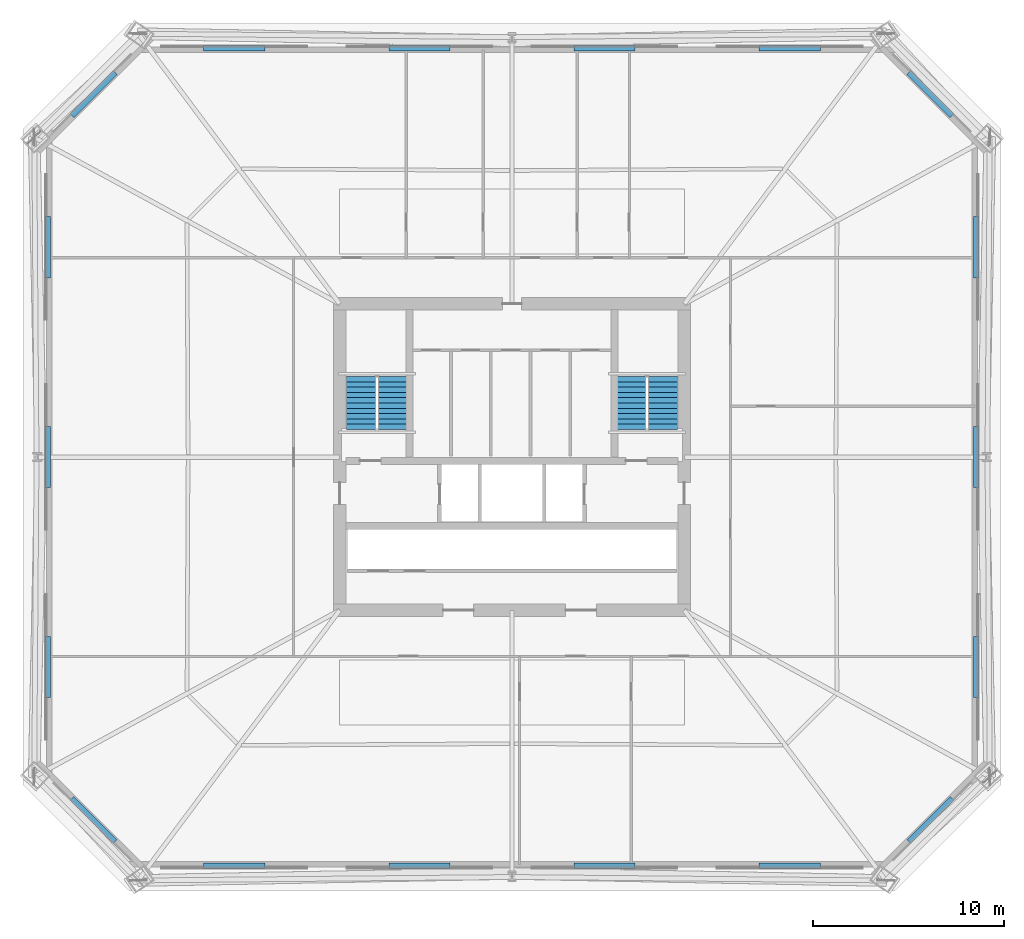
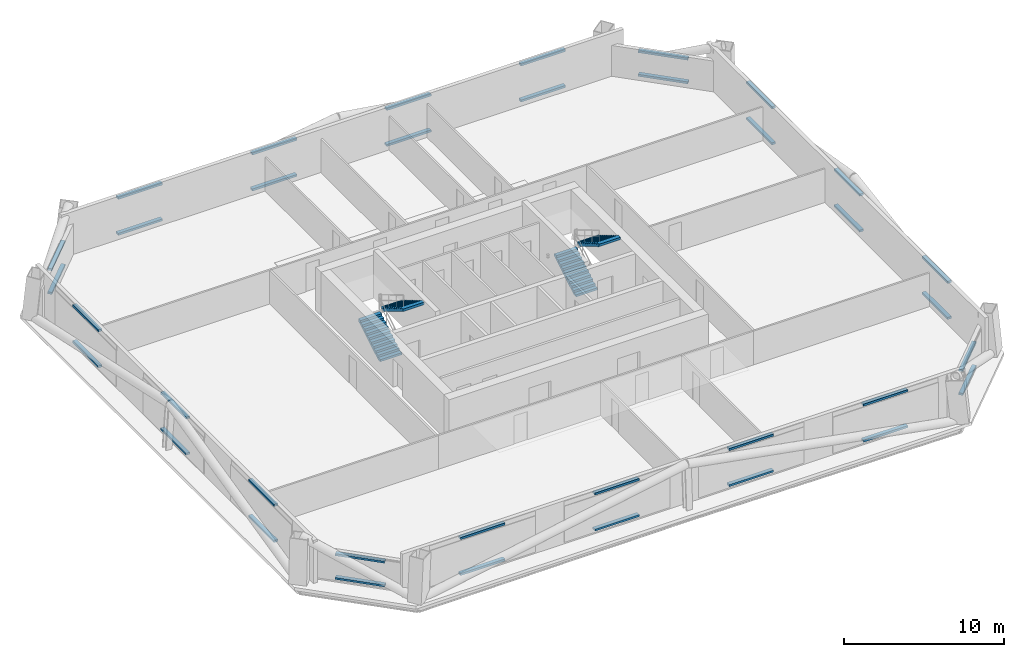
# One storey, part 6 of 9: 36 discrete accessories, 4 stair flights, 2 elements without a shape of their own.
"""IFC4 building model written with IfcOpenShell, lengths in metres."""

from ifc_helpers import new_model, si_unit, direction, frame, origin, origin_2d, place, context, subcontext, project, spatial, polyline, rectangle, outline, extrude, material, type_object, element, aggregate, save


model = new_model("IFC4")

# Units and contexts
model_context = context("Model", 3, precision=1e-05, world=origin(), true_north=direction((0.0, 1.0)))
body_context = subcontext(model_context, "Body", "Model", "MODEL_VIEW")
ifc_project = project(units=[si_unit("LENGTHUNIT", "METRE"), si_unit("AREAUNIT", "SQUARE_METRE"), si_unit("VOLUMEUNIT", "CUBIC_METRE"), si_unit("PLANEANGLEUNIT", "RADIAN"), si_unit("MASSUNIT", "GRAM", prefix="KILO")], contexts=[model_context])

# Site, building, storey
site_placement = place(None, origin())
site = spatial("IfcSite", under=ifc_project, at=site_placement, CompositionType="ELEMENT")
building_placement = place(site_placement, origin())
building = spatial("IfcBuilding", under=site, at=building_placement, Name="Caelvoria Tower", CompositionType="ELEMENT")
storey_placement = place(building_placement, frame((0.0, 0.0, 82.0)))
storey = spatial("IfcBuildingStorey", under=building, at=storey_placement, Name="L21", CompositionType="ELEMENT", Elevation=82.0)

# Stair, stair flights
ifc_material_1 = material(Name="Concrete C40/50", Category="concrete")
stair_type = type_object("IfcStairType", Name="Core Smokeproof Dogleg Stair Concrete C40/50", PredefinedType="HALF_TURN_STAIR", material=ifc_material_1)
stair_1_placement = place(storey_placement, origin())
stair_1 = element("IfcStair", 1, at=stair_1_placement, inside=storey, type_object=stair_type, Name="ST-01 Smokeproof Exit Stair L21", PredefinedType="HALF_TURN_STAIR")
ifc_material_2 = material(Name="Precast Concrete C40/50", Category="concrete")
stair_flight_type = type_object("IfcStairFlightType", Name="Precast Concrete C40/50 Stair Flight 1480", PredefinedType="STRAIGHT", material=ifc_material_2)
stair_flight_1_placement = place(storey_placement, frame((38.1298828125, 33.449951171875, 0.0), z_axis=(0.0, 0.0, 1.0), x_axis=(0.0, 1.0, 0.0)))
stair_flight_1 = element("IfcStairFlight", 2, at=stair_flight_1_placement, type_object=stair_flight_type, Name="ST-01 flight 1", NumberOfRisers=11, NumberOfTreads=10, PredefinedType="STRAIGHT", RiserHeight=0.1636, TreadLength=0.275, context=body_context, shape_type="SweptSolid", body=[
    extrude(outline(polyline([(0.0, 0.0), (0.0, 0.16357421875), (0.27490234375, 0.16357421875), (0.27490234375, 0.3271484375), (0.550048828125, 0.3271484375), (0.550048828125, 0.49072265625), (0.824951171875, 0.49072265625), (0.824951171875, 0.654296875), (1.10009765625, 0.654296875), (1.10009765625, 0.818115234375), (1.375, 0.818115234375), (1.375, 0.981689453125), (1.64990234375, 0.981689453125), (1.64990234375, 1.145263671875), (1.925048828125, 1.145263671875), (1.925048828125, 1.308837890625), (2.199951171875, 1.308837890625), (2.199951171875, 1.472412109375), (2.47509765625, 1.472412109375), (2.47509765625, 1.635986328125), (2.75, 1.635986328125), (2.75, 1.799560546875), (2.75, 1.449951171875), (0.312744140625, 0.0), (0.0, 0.0)])), frame((0.0, 0.77001953125, 0.0), z_axis=(0.0, -1.0, 0.0), x_axis=(1.0, 0.0, 0.0)), (0.0, 0.0, 1.0), 1.5400390625),
])
stair_flight_2_placement = place(storey_placement, frame((39.77001953125, 36.199951171875, 1.800048828125), z_axis=(0.0, 0.0, 1.0), x_axis=(0.0, -1.0, 0.0)))
stair_flight_2 = element("IfcStairFlight", 3, at=stair_flight_2_placement, type_object=stair_flight_type, Name="ST-01 flight 2", NumberOfRisers=11, NumberOfTreads=10, PredefinedType="STRAIGHT", RiserHeight=0.1636, TreadLength=0.275, context=body_context, shape_type="SweptSolid", body=[
    extrude(outline(polyline([(0.0, 0.0), (0.0, 0.16357421875), (0.27490234375, 0.16357421875), (0.27490234375, 0.3271484375), (0.550048828125, 0.3271484375), (0.550048828125, 0.49072265625), (0.824951171875, 0.49072265625), (0.824951171875, 0.654296875), (1.10009765625, 0.654296875), (1.10009765625, 0.818115234375), (1.375, 0.818115234375), (1.375, 0.981689453125), (1.64990234375, 0.981689453125), (1.64990234375, 1.145263671875), (1.925048828125, 1.145263671875), (1.925048828125, 1.308837890625), (2.199951171875, 1.308837890625), (2.199951171875, 1.472412109375), (2.47509765625, 1.472412109375), (2.47509765625, 1.635986328125), (2.75, 1.635986328125), (2.75, 1.799560546875), (2.75, 1.449951171875), (0.312744140625, 0.0), (0.0, 0.0)])), frame((0.0, 0.77001953125, 0.0), z_axis=(0.0, -1.0, 0.0), x_axis=(1.0, 0.0, 0.0)), (0.0, 0.0, 1.0), 1.5400390625),
])
aggregate(stair_1, [stair_flight_1, stair_flight_2])

stair_2_placement = place(storey_placement, origin())
stair_2 = element("IfcStair", 4, at=stair_2_placement, inside=storey, type_object=stair_type, Name="ST-02 Smokeproof Exit Stair L21", PredefinedType="HALF_TURN_STAIR")
stair_flight_3_placement = place(storey_placement, frame((52.22998046875, 33.449951171875, 0.0), z_axis=(0.0, 0.0, 1.0), x_axis=(0.0, 1.0, 0.0)))
stair_flight_3 = element("IfcStairFlight", 5, at=stair_flight_3_placement, type_object=stair_flight_type, Name="ST-02 flight 1", NumberOfRisers=11, NumberOfTreads=10, PredefinedType="STRAIGHT", RiserHeight=0.1636, TreadLength=0.275, context=body_context, shape_type="SweptSolid", body=[
    extrude(outline(polyline([(0.0, 0.0), (0.0, 0.16357421875), (0.27490234375, 0.16357421875), (0.27490234375, 0.3271484375), (0.550048828125, 0.3271484375), (0.550048828125, 0.49072265625), (0.824951171875, 0.49072265625), (0.824951171875, 0.654296875), (1.10009765625, 0.654296875), (1.10009765625, 0.818115234375), (1.375, 0.818115234375), (1.375, 0.981689453125), (1.64990234375, 0.981689453125), (1.64990234375, 1.145263671875), (1.925048828125, 1.145263671875), (1.925048828125, 1.308837890625), (2.199951171875, 1.308837890625), (2.199951171875, 1.472412109375), (2.47509765625, 1.472412109375), (2.47509765625, 1.635986328125), (2.75, 1.635986328125), (2.75, 1.799560546875), (2.75, 1.449951171875), (0.312744140625, 0.0), (0.0, 0.0)])), frame((0.0, 0.77001953125, 0.0), z_axis=(0.0, -1.0, 0.0), x_axis=(1.0, 0.0, 0.0)), (0.0, 0.0, 1.0), 1.5400390625),
])
stair_flight_4_placement = place(storey_placement, frame((53.8701171875, 36.199951171875, 1.800048828125), z_axis=(0.0, 0.0, 1.0), x_axis=(0.0, -1.0, 0.0)))
stair_flight_4 = element("IfcStairFlight", 6, at=stair_flight_4_placement, type_object=stair_flight_type, Name="ST-02 flight 2", NumberOfRisers=11, NumberOfTreads=10, PredefinedType="STRAIGHT", RiserHeight=0.1636, TreadLength=0.275, context=body_context, shape_type="SweptSolid", body=[
    extrude(outline(polyline([(0.0, 0.0), (0.0, 0.16357421875), (0.27490234375, 0.16357421875), (0.27490234375, 0.3271484375), (0.550048828125, 0.3271484375), (0.550048828125, 0.49072265625), (0.824951171875, 0.49072265625), (0.824951171875, 0.654296875), (1.10009765625, 0.654296875), (1.10009765625, 0.818115234375), (1.375, 0.818115234375), (1.375, 0.981689453125), (1.64990234375, 0.981689453125), (1.64990234375, 1.145263671875), (1.925048828125, 1.145263671875), (1.925048828125, 1.308837890625), (2.199951171875, 1.308837890625), (2.199951171875, 1.472412109375), (2.47509765625, 1.472412109375), (2.47509765625, 1.635986328125), (2.75, 1.635986328125), (2.75, 1.799560546875), (2.75, 1.449951171875), (0.312744140625, 0.0), (0.0, 0.0)])), frame((0.0, 0.77001953125, 0.0), z_axis=(0.0, -1.0, 0.0), x_axis=(1.0, 0.0, 0.0)), (0.0, 0.0, 1.0), 1.5400390625),
])
aggregate(stair_2, [stair_flight_3, stair_flight_4])

# Discrete accessories
ifc_material_3 = material(Name="Anodised Bronze Stainless Bracket", Category="bronze")
discrete_accessory_type = type_object("IfcDiscreteAccessoryType", Name="Solar Screen Outrigger Support Bracket", PredefinedType="BRACKET", material=ifc_material_3)
for number, where, z_axis, x_axis, name in (
    (7, (31.4951171875, 10.653076171875, 0.240234375), (0.0, 0.0, 1.0), (1.0, 0.0, 0.0), "Solar Screen Bracket L21-E0-00"),
    (8, (31.4951171875, 10.653076171875, 2.97998046875), (0.0, 0.0, 1.0), (1.0, 0.0, 0.0), "Upper Screen Band Bracket L21-E0-00"),
    (9, (41.1650390625, 10.653076171875, 0.240234375), (0.0, 0.0, 1.0), (1.0, 0.0, 0.0), "Solar Screen Bracket L21-E0-01"),
    (10, (41.1650390625, 10.653076171875, 2.97998046875), (0.0, 0.0, 1.0), (1.0, 0.0, 0.0), "Upper Screen Band Bracket L21-E0-01"),
    (11, (50.8349609375, 10.653076171875, 0.240234375), (0.0, 0.0, 1.0), (1.0, 0.0, 0.0), "Solar Screen Bracket L21-E0-02"),
    (12, (50.8349609375, 10.653076171875, 2.97998046875), (0.0, 0.0, 1.0), (1.0, 0.0, 0.0), "Upper Screen Band Bracket L21-E0-02"),
    (13, (60.5048828125, 10.653076171875, 0.240234375), (0.0, 0.0, 1.0), (1.0, 0.0, 0.0), "Solar Screen Bracket L21-E0-03"),
    (14, (60.5048828125, 10.653076171875, 2.97998046875), (0.0, 0.0, 1.0), (1.0, 0.0, 0.0), "Upper Screen Band Bracket L21-E0-03"),
    (15, (67.853515625, 13.04638671875, 0.240234375), (0.0, 0.0, 1.0), (0.707106781187, 0.707106781187, 0.0), "Solar Screen Bracket L21-E1-00"),
    (16, (67.853515625, 13.04638671875, 2.04296875), (0.0, 0.0, 1.0), (0.707106781187, 0.707106781187, 0.0), "Upper Screen Band Bracket L21-E1-00"),
    (17, (70.2470703125, 21.0400390625, 0.240234375), (0.0, 0.0, 1.0), (0.0, 1.0, 0.0), "Solar Screen Bracket L21-E2-00"),
    (18, (70.2470703125, 21.0400390625, 2.97998046875), (0.0, 0.0, 1.0), (0.0, 1.0, 0.0), "Upper Screen Band Bracket L21-E2-00"),
    (19, (70.2470703125, 32.0, 0.240234375), (0.0, 0.0, 1.0), (0.0, 1.0, 0.0), "Solar Screen Bracket L21-E2-01"),
    (20, (70.2470703125, 32.0, 2.97998046875), (0.0, 0.0, 1.0), (0.0, 1.0, 0.0), "Upper Screen Band Bracket L21-E2-01"),
    (21, (70.2470703125, 42.9599609375, 0.240234375), (0.0, 0.0, 1.0), (0.0, 1.0, 0.0), "Solar Screen Bracket L21-E2-02"),
    (22, (70.2470703125, 42.9599609375, 2.97998046875), (0.0, 0.0, 1.0), (0.0, 1.0, 0.0), "Upper Screen Band Bracket L21-E2-02"),
    (23, (67.853515625, 50.95361328125, 0.240234375), (0.0, 0.0, 1.0), (-0.707106781187, 0.707106781187, 0.0), "Solar Screen Bracket L21-E3-00"),
    (24, (67.853515625, 50.95361328125, 2.04296875), (0.0, 0.0, 1.0), (-0.707106781187, 0.707106781187, 0.0), "Upper Screen Band Bracket L21-E3-00"),
    (25, (60.5048828125, 53.346923828125, 0.240234375), (0.0, 0.0, 1.0), (-1.0, 0.0, 0.0), "Solar Screen Bracket L21-E4-00"),
    (26, (60.5048828125, 53.346923828125, 2.97998046875), (0.0, 0.0, 1.0), (-1.0, 0.0, 0.0), "Upper Screen Band Bracket L21-E4-00"),
    (27, (50.8349609375, 53.346923828125, 0.240234375), (0.0, 0.0, 1.0), (-1.0, 0.0, 0.0), "Solar Screen Bracket L21-E4-01"),
    (28, (50.8349609375, 53.346923828125, 2.97998046875), (0.0, 0.0, 1.0), (-1.0, 0.0, 0.0), "Upper Screen Band Bracket L21-E4-01"),
    (29, (41.1650390625, 53.346923828125, 0.240234375), (0.0, 0.0, 1.0), (-1.0, 0.0, 0.0), "Solar Screen Bracket L21-E4-02"),
    (30, (41.1650390625, 53.346923828125, 2.97998046875), (0.0, 0.0, 1.0), (-1.0, 0.0, 0.0), "Upper Screen Band Bracket L21-E4-02"),
    (31, (31.4951171875, 53.346923828125, 0.240234375), (0.0, 0.0, 1.0), (-1.0, 0.0, 0.0), "Solar Screen Bracket L21-E4-03"),
    (32, (31.4951171875, 53.346923828125, 2.97998046875), (0.0, 0.0, 1.0), (-1.0, 0.0, 0.0), "Upper Screen Band Bracket L21-E4-03"),
    (33, (24.146484375, 50.95361328125, 0.240234375), (0.0, 0.0, 1.0), (-0.707106781187, -0.707106781187, 0.0), "Solar Screen Bracket L21-E5-00"),
    (34, (24.146484375, 50.95361328125, 2.04296875), (0.0, 0.0, 1.0), (-0.707106781187, -0.707106781187, 0.0), "Upper Screen Band Bracket L21-E5-00"),
    (35, (21.7529296875, 42.9599609375, 0.240234375), (0.0, 0.0, 1.0), (0.0, -1.0, 0.0), "Solar Screen Bracket L21-E6-00"),
    (36, (21.7529296875, 42.9599609375, 2.97998046875), (0.0, 0.0, 1.0), (0.0, -1.0, 0.0), "Upper Screen Band Bracket L21-E6-00"),
    (37, (21.7529296875, 32.0, 0.240234375), (0.0, 0.0, 1.0), (0.0, -1.0, 0.0), "Solar Screen Bracket L21-E6-01"),
    (38, (21.7529296875, 32.0, 2.97998046875), (0.0, 0.0, 1.0), (0.0, -1.0, 0.0), "Upper Screen Band Bracket L21-E6-01"),
    (39, (21.7529296875, 21.0400390625, 0.240234375), (0.0, 0.0, 1.0), (0.0, -1.0, 0.0), "Solar Screen Bracket L21-E6-02"),
    (40, (21.7529296875, 21.0400390625, 2.97998046875), (0.0, 0.0, 1.0), (0.0, -1.0, 0.0), "Upper Screen Band Bracket L21-E6-02"),
    (41, (24.146484375, 13.04638671875, 0.240234375), (0.0, 0.0, 1.0), (0.707106781187, -0.707106781187, 0.0), "Solar Screen Bracket L21-E7-00"),
    (42, (24.146484375, 13.04638671875, 2.04296875), (0.0, 0.0, 1.0), (0.707106781187, -0.707106781187, 0.0), "Upper Screen Band Bracket L21-E7-00"),
):
    element("IfcDiscreteAccessory", number, at=place(storey_placement, frame(where, z_axis=z_axis, x_axis=x_axis)), inside=storey, type_object=discrete_accessory_type, Name=name, PredefinedType="BRACKET", context=body_context, shape_type="SweptSolid", body=[
        extrude(rectangle(XDim=3.199951171875, YDim=0.280029296875, at=origin_2d()), origin(), (0.0, 0.0, 1.0), 0.159912109375),
    ])

save(model, "model.ifc")
